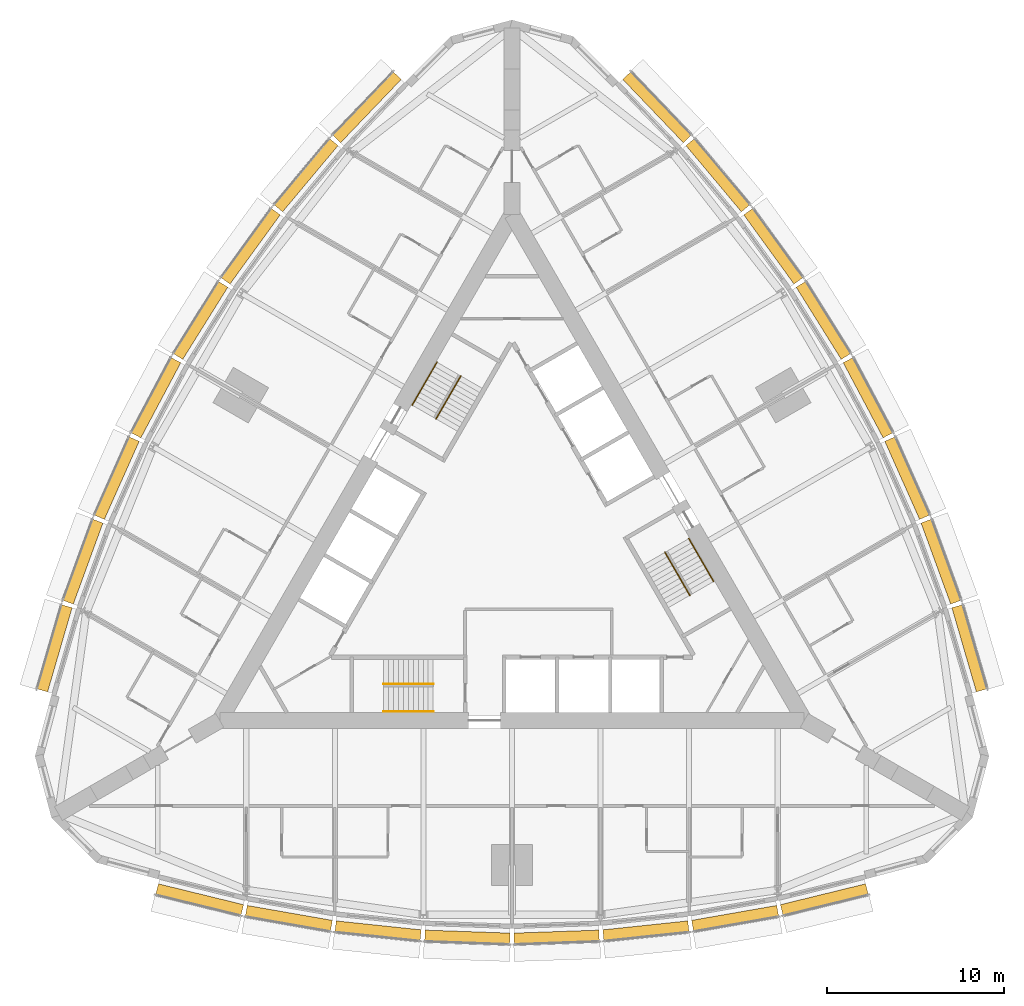
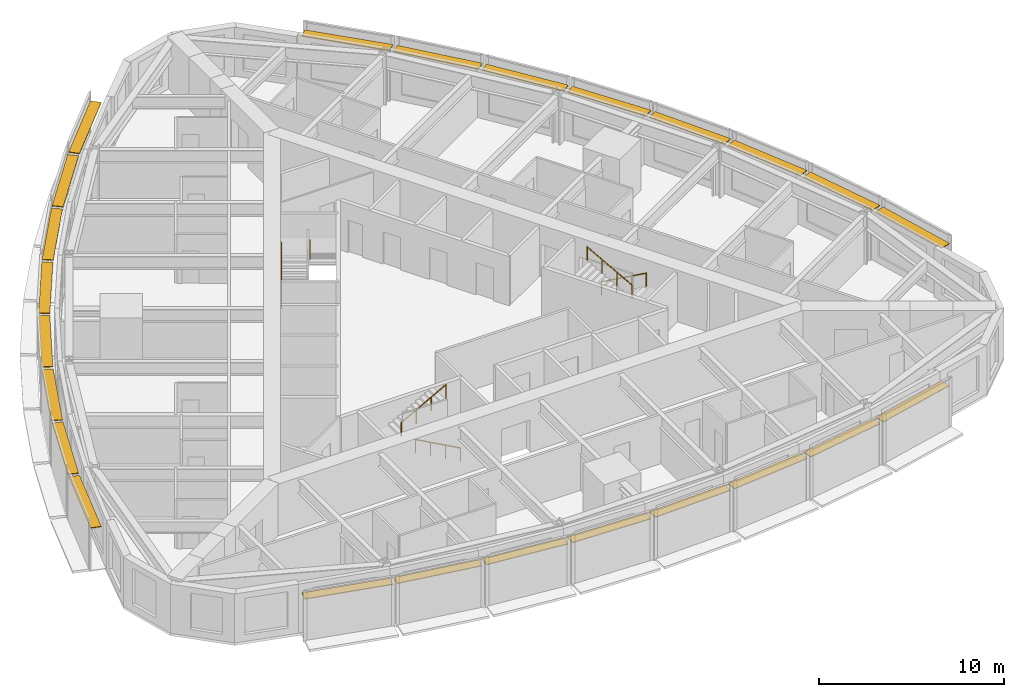
# One storey, part 14 of 14: 24 shading devices, 6 railings.
"""IFC4 building model written with IfcOpenShell, lengths in metres."""

from ifc_helpers import new_model, si_unit, direction, frame, origin, origin_2d, place, context, subcontext, project, spatial, rectangle, circle, extrude, material, type_object, element, save


model = new_model("IFC4")

# Units and contexts
model_context = context("Model", 3, precision=1e-05, world=origin(), true_north=direction((0.0, 1.0)))
body_context = subcontext(model_context, "Body", "Model", "MODEL_VIEW")
ifc_project = project(units=[si_unit("LENGTHUNIT", "METRE"), si_unit("AREAUNIT", "SQUARE_METRE"), si_unit("VOLUMEUNIT", "CUBIC_METRE"), si_unit("PLANEANGLEUNIT", "RADIAN"), si_unit("MASSUNIT", "GRAM", prefix="KILO")], contexts=[model_context])

# Site, building, storey
site_placement = place(None, origin())
site = spatial("IfcSite", under=ifc_project, at=site_placement, CompositionType="ELEMENT")
building_placement = place(site_placement, origin())
building = spatial("IfcBuilding", under=site, at=building_placement, Name="Trikona Tower", CompositionType="ELEMENT")
storey_placement = place(building_placement, frame((0.0, 0.0, 158.89990234375)))
storey = spatial("IfcBuildingStorey", under=building, at=storey_placement, Name="L42", CompositionType="ELEMENT", Elevation=158.89990234375)

# Shading devices
ifc_material_1 = material(Name="Aluminium louvre blade, pale anodised", Category="aluminium")
shading_device_type = type_object("IfcShadingDeviceType", Name="Cavity louvre 600", PredefinedType="USERDEFINED", material=ifc_material_1)
shading_device_1_placement = place(storey_placement, frame((-17.63330078125, -19.631591796875, 2.77490234375), z_axis=(0.0, 0.0, 1.0), x_axis=(0.971274411564, -0.237962218516, 0.0)))
element("IfcShadingDevice", 1, at=shading_device_1_placement, inside=storey, type_object=shading_device_type, Name="Cavity louvre L42-00", ObjectType="LOUVRE", PredefinedType="USERDEFINED", context=body_context, shape_type="SweptSolid", body=[
    extrude(rectangle(XDim=4.947998046875, YDim=0.60009765625, at=origin_2d()), origin(), (0.0, 0.0, 1.0), 0.050048828125),
])
shading_device_2_placement = place(storey_placement, frame((-12.596435546875, -20.689208984375, 2.77490234375), z_axis=(0.0, 0.0, 1.0), x_axis=(0.985030604067, -0.172379549401, 0.0)))
element("IfcShadingDevice", 2, at=shading_device_2_placement, inside=storey, type_object=shading_device_type, Name="Cavity louvre L42-01", ObjectType="LOUVRE", PredefinedType="USERDEFINED", context=body_context, shape_type="SweptSolid", body=[
    extrude(rectangle(XDim=4.8759765625, YDim=0.60009765625, at=origin_2d()), origin(), (0.0, 0.0, 1.0), 0.050048828125),
])
shading_device_3_placement = place(storey_placement, frame((-7.55859375, -21.39453125, 2.77490234375), z_axis=(0.0, 0.0, 1.0), x_axis=(0.994532653854, -0.104426052392, 0.0)))
element("IfcShadingDevice", 3, at=shading_device_3_placement, inside=storey, type_object=shading_device_type, Name="Cavity louvre L42-02", ObjectType="LOUVRE", PredefinedType="USERDEFINED", context=body_context, shape_type="SweptSolid", body=[
    extrude(rectangle(XDim=4.827392578125, YDim=0.60009765625, at=origin_2d()), origin(), (0.0, 0.0, 1.0), 0.050048828125),
])
for number, where, z_axis, x_axis, name in (
    (4, (-2.51953125, -21.747314453125, 2.77490234375), (0.0, 0.0, 1.0), (0.999388082937, -0.034977988567, 0.0), "Cavity louvre L42-03"),
    (5, (2.51953125, -21.747314453125, 2.77490234375), (0.0, 0.0, 1.0), (0.999388082937, 0.034977988567, 0.0), "Cavity louvre L42-04"),
):
    element("IfcShadingDevice", number, at=place(storey_placement, frame(where, z_axis=z_axis, x_axis=x_axis)), inside=storey, type_object=shading_device_type, Name=name, ObjectType="LOUVRE", PredefinedType="USERDEFINED", context=body_context, shape_type="SweptSolid", body=[
        extrude(rectangle(XDim=4.802978515625, YDim=0.60009765625, at=origin_2d()), origin(), (0.0, 0.0, 1.0), 0.050048828125),
    ])
shading_device_4_placement = place(storey_placement, frame((7.55859375, -21.39453125, 2.77490234375), z_axis=(0.0, 0.0, 1.0), x_axis=(0.994532653854, 0.104426052392, 0.0)))
element("IfcShadingDevice", 6, at=shading_device_4_placement, inside=storey, type_object=shading_device_type, Name="Cavity louvre L42-05", ObjectType="LOUVRE", PredefinedType="USERDEFINED", context=body_context, shape_type="SweptSolid", body=[
    extrude(rectangle(XDim=4.827392578125, YDim=0.60009765625, at=origin_2d()), origin(), (0.0, 0.0, 1.0), 0.050048828125),
])
shading_device_5_placement = place(storey_placement, frame((12.596435546875, -20.689208984375, 2.77490234375), z_axis=(0.0, 0.0, 1.0), x_axis=(0.985030604067, 0.172379549401, 0.0)))
element("IfcShadingDevice", 7, at=shading_device_5_placement, inside=storey, type_object=shading_device_type, Name="Cavity louvre L42-06", ObjectType="LOUVRE", PredefinedType="USERDEFINED", context=body_context, shape_type="SweptSolid", body=[
    extrude(rectangle(XDim=4.8759765625, YDim=0.60009765625, at=origin_2d()), origin(), (0.0, 0.0, 1.0), 0.050048828125),
])
shading_device_6_placement = place(storey_placement, frame((17.63330078125, -19.631591796875, 2.77490234375), z_axis=(0.0, 0.0, 1.0), x_axis=(0.971274411564, 0.237962218516, 0.0)))
element("IfcShadingDevice", 8, at=shading_device_6_placement, inside=storey, type_object=shading_device_type, Name="Cavity louvre L42-07", ObjectType="LOUVRE", PredefinedType="USERDEFINED", context=body_context, shape_type="SweptSolid", body=[
    extrude(rectangle(XDim=4.947998046875, YDim=0.60009765625, at=origin_2d()), origin(), (0.0, 0.0, 1.0), 0.050048828125),
])
shading_device_7_placement = place(storey_placement, frame((25.818115234375, -5.455078125, 2.77490234375), z_axis=(0.0, 0.0, 1.0), x_axis=(-0.279554203664, 0.960129911634, 0.0)))
element("IfcShadingDevice", 9, at=shading_device_7_placement, inside=storey, type_object=shading_device_type, Name="Cavity louvre L42-12", ObjectType="LOUVRE", PredefinedType="USERDEFINED", context=body_context, shape_type="SweptSolid", body=[
    extrude(rectangle(XDim=4.94775390625, YDim=0.60009765625, at=origin_2d()), origin(), (0.0, 0.0, 1.0), 0.050048828125),
])
shading_device_8_placement = place(storey_placement, frame((24.2158203125, -0.564208984375, 2.77490234375), z_axis=(0.0, 0.0, 1.0), x_axis=(-0.343220397324, 0.939254895575, 0.0)))
element("IfcShadingDevice", 10, at=shading_device_8_placement, inside=storey, type_object=shading_device_type, Name="Cavity louvre L42-13", ObjectType="LOUVRE", PredefinedType="USERDEFINED", context=body_context, shape_type="SweptSolid", body=[
    extrude(rectangle(XDim=4.8759765625, YDim=0.60009765625, at=origin_2d()), origin(), (0.0, 0.0, 1.0), 0.050048828125),
])
shading_device_9_placement = place(storey_placement, frame((22.3076171875, 4.151611328125, 2.77490234375), z_axis=(0.0, 0.0, 1.0), x_axis=(-0.406843467615, 0.913497888809, 0.0)))
element("IfcShadingDevice", 11, at=shading_device_9_placement, inside=storey, type_object=shading_device_type, Name="Cavity louvre L42-14", ObjectType="LOUVRE", PredefinedType="USERDEFINED", context=body_context, shape_type="SweptSolid", body=[
    extrude(rectangle(XDim=4.827392578125, YDim=0.60009765625, at=origin_2d()), origin(), (0.0, 0.0, 1.0), 0.050048828125),
])
for number, where, z_axis, x_axis, name in (
    (12, (20.093505859375, 8.691650390625, 2.77490234375), (0.0, 0.0, 1.0), (-0.469397591494, 0.882986920118, 0.0), "Cavity louvre L42-15"),
    (13, (17.573974609375, 13.0556640625, 2.77490234375), (0.0, 0.0, 1.0), (-0.529994748414, 0.848000923734, 0.0), "Cavity louvre L42-16"),
):
    element("IfcShadingDevice", number, at=place(storey_placement, frame(where, z_axis=z_axis, x_axis=x_axis)), inside=storey, type_object=shading_device_type, Name=name, ObjectType="LOUVRE", PredefinedType="USERDEFINED", context=body_context, shape_type="SweptSolid", body=[
        extrude(rectangle(XDim=4.802978515625, YDim=0.60009765625, at=origin_2d()), origin(), (0.0, 0.0, 1.0), 0.050048828125),
    ])
shading_device_10_placement = place(storey_placement, frame((14.7490234375, 17.2431640625, 2.77490234375), z_axis=(0.0, 0.0, 1.0), x_axis=(-0.587686407834, 0.809088799853, 0.0)))
element("IfcShadingDevice", 14, at=shading_device_10_placement, inside=storey, type_object=shading_device_type, Name="Cavity louvre L42-17", ObjectType="LOUVRE", PredefinedType="USERDEFINED", context=body_context, shape_type="SweptSolid", body=[
    extrude(rectangle(XDim=4.827392578125, YDim=0.60009765625, at=origin_2d()), origin(), (0.0, 0.0, 1.0), 0.050048828125),
])
shading_device_11_placement = place(storey_placement, frame((11.619140625, 21.253662109375, 2.77490234375), z_axis=(0.0, 0.0, 1.0), x_axis=(-0.641807063101, 0.766866151133, 0.0)))
element("IfcShadingDevice", 15, at=shading_device_11_placement, inside=storey, type_object=shading_device_type, Name="Cavity louvre L42-18", ObjectType="LOUVRE", PredefinedType="USERDEFINED", context=body_context, shape_type="SweptSolid", body=[
    extrude(rectangle(XDim=4.8759765625, YDim=0.60009765625, at=origin_2d()), origin(), (0.0, 0.0, 1.0), 0.050048828125),
])
for number, where, z_axis, x_axis, name in (
    (16, (8.184814453125, 25.086669921875, 2.77490234375), (0.0, 0.0, 1.0), (-0.691723573819, 0.722162376078, 0.0), "Cavity louvre L42-19"),
    (17, (-8.184814453125, 25.086669921875, 2.77490234375), (0.0, 0.0, 1.0), (-0.691723573819, -0.722162376078, 0.0), "Cavity louvre L42-24"),
):
    element("IfcShadingDevice", number, at=place(storey_placement, frame(where, z_axis=z_axis, x_axis=x_axis)), inside=storey, type_object=shading_device_type, Name=name, ObjectType="LOUVRE", PredefinedType="USERDEFINED", context=body_context, shape_type="SweptSolid", body=[
        extrude(rectangle(XDim=4.947998046875, YDim=0.60009765625, at=origin_2d()), origin(), (0.0, 0.0, 1.0), 0.050048828125),
    ])
shading_device_12_placement = place(storey_placement, frame((-11.619140625, 21.253662109375, 2.77490234375), z_axis=(0.0, 0.0, 1.0), x_axis=(-0.641807063101, -0.766866151133, 0.0)))
element("IfcShadingDevice", 18, at=shading_device_12_placement, inside=storey, type_object=shading_device_type, Name="Cavity louvre L42-25", ObjectType="LOUVRE", PredefinedType="USERDEFINED", context=body_context, shape_type="SweptSolid", body=[
    extrude(rectangle(XDim=4.8759765625, YDim=0.60009765625, at=origin_2d()), origin(), (0.0, 0.0, 1.0), 0.050048828125),
])
shading_device_13_placement = place(storey_placement, frame((-14.7490234375, 17.2431640625, 2.77490234375), z_axis=(0.0, 0.0, 1.0), x_axis=(-0.587686407834, -0.809088799853, 0.0)))
element("IfcShadingDevice", 19, at=shading_device_13_placement, inside=storey, type_object=shading_device_type, Name="Cavity louvre L42-26", ObjectType="LOUVRE", PredefinedType="USERDEFINED", context=body_context, shape_type="SweptSolid", body=[
    extrude(rectangle(XDim=4.827392578125, YDim=0.60009765625, at=origin_2d()), origin(), (0.0, 0.0, 1.0), 0.050048828125),
])
for number, where, z_axis, x_axis, name in (
    (20, (-17.573974609375, 13.0556640625, 2.77490234375), (0.0, 0.0, 1.0), (-0.529994748414, -0.848000923734, 0.0), "Cavity louvre L42-27"),
    (21, (-20.093505859375, 8.691650390625, 2.77490234375), (0.0, 0.0, 1.0), (-0.469397591494, -0.882986920118, 0.0), "Cavity louvre L42-28"),
):
    element("IfcShadingDevice", number, at=place(storey_placement, frame(where, z_axis=z_axis, x_axis=x_axis)), inside=storey, type_object=shading_device_type, Name=name, ObjectType="LOUVRE", PredefinedType="USERDEFINED", context=body_context, shape_type="SweptSolid", body=[
        extrude(rectangle(XDim=4.802978515625, YDim=0.60009765625, at=origin_2d()), origin(), (0.0, 0.0, 1.0), 0.050048828125),
    ])
shading_device_14_placement = place(storey_placement, frame((-22.3076171875, 4.151611328125, 2.77490234375), z_axis=(0.0, 0.0, 1.0), x_axis=(-0.406843467615, -0.913497888809, 0.0)))
element("IfcShadingDevice", 22, at=shading_device_14_placement, inside=storey, type_object=shading_device_type, Name="Cavity louvre L42-29", ObjectType="LOUVRE", PredefinedType="USERDEFINED", context=body_context, shape_type="SweptSolid", body=[
    extrude(rectangle(XDim=4.827392578125, YDim=0.60009765625, at=origin_2d()), origin(), (0.0, 0.0, 1.0), 0.050048828125),
])
shading_device_15_placement = place(storey_placement, frame((-24.2158203125, -0.564208984375, 2.77490234375), z_axis=(0.0, 0.0, 1.0), x_axis=(-0.343220397324, -0.939254895575, 0.0)))
element("IfcShadingDevice", 23, at=shading_device_15_placement, inside=storey, type_object=shading_device_type, Name="Cavity louvre L42-30", ObjectType="LOUVRE", PredefinedType="USERDEFINED", context=body_context, shape_type="SweptSolid", body=[
    extrude(rectangle(XDim=4.8759765625, YDim=0.60009765625, at=origin_2d()), origin(), (0.0, 0.0, 1.0), 0.050048828125),
])
shading_device_16_placement = place(storey_placement, frame((-25.818115234375, -5.455078125, 2.77490234375), z_axis=(0.0, 0.0, 1.0), x_axis=(-0.279554203664, -0.960129911634, 0.0)))
element("IfcShadingDevice", 24, at=shading_device_16_placement, inside=storey, type_object=shading_device_type, Name="Cavity louvre L42-31", ObjectType="LOUVRE", PredefinedType="USERDEFINED", context=body_context, shape_type="SweptSolid", body=[
    extrude(rectangle(XDim=4.94775390625, YDim=0.60009765625, at=origin_2d()), origin(), (0.0, 0.0, 1.0), 0.050048828125),
])

# Railings
ifc_material_2 = material(Name="Stainless steel handrail", Category="steel")
railing_type = type_object("IfcRailingType", Name="Stair handrail", PredefinedType="HANDRAIL", material=ifc_material_2)
railing_1_placement = place(storey_placement, frame((-4.449951171875, -9.016357421875, 0.154541015625)))
element("IfcRailing", 25, at=railing_1_placement, inside=storey, type_object=railing_type, Name="Stair handrail A L42 1", PredefinedType="HANDRAIL", context=body_context, shape_type="SweptSolid", body=[
    extrude(circle(Radius=0.02392578125, at=origin_2d()), frame((0.0, 0.0, 0.8759765625), z_axis=(-0.875471895205, 0.0, 0.483269035534), x_axis=(0.0, -1.0, 0.0)), (0.0, 0.0, 1.0), 3.1982421875),
    extrude(circle(Radius=0.02099609375, at=origin_2d()), origin(), (0.0, 0.0, 1.0), 0.851806640625),
    extrude(circle(Radius=0.02099609375, at=origin_2d()), frame((-0.933349609375, 0.0, 0.51513671875)), (0.0, 0.0, 1.0), 0.851806640625),
    extrude(circle(Radius=0.02099609375, at=origin_2d()), frame((-1.86669921875, 0.0, 1.030517578125)), (0.0, 0.0, 1.0), 0.851806640625),
    extrude(circle(Radius=0.02099609375, at=origin_2d()), frame((-2.800048828125, 0.0, 1.545654296875)), (0.0, 0.0, 1.0), 0.851806640625),
])
railing_2_placement = place(storey_placement, frame((-7.25, -7.46630859375, 1.8544921875)))
element("IfcRailing", 26, at=railing_2_placement, inside=storey, type_object=railing_type, Name="Stair handrail A L42 2", PredefinedType="HANDRAIL", context=body_context, shape_type="SweptSolid", body=[
    extrude(circle(Radius=0.02392578125, at=origin_2d()), frame((0.0, 0.0, 0.8759765625), z_axis=(0.875471895205, 0.0, 0.483269035534), x_axis=(0.0, 1.0, 0.0)), (0.0, 0.0, 1.0), 3.1982421875),
    extrude(circle(Radius=0.02099609375, at=origin_2d()), origin(), (0.0, 0.0, 1.0), 0.851806640625),
    extrude(circle(Radius=0.02099609375, at=origin_2d()), frame((0.933349609375, 0.0, 0.51513671875)), (0.0, 0.0, 1.0), 0.851806640625),
    extrude(circle(Radius=0.02099609375, at=origin_2d()), frame((1.86669921875, 0.0, 1.030517578125)), (0.0, 0.0, 1.0), 0.851806640625),
    extrude(circle(Radius=0.02099609375, at=origin_2d()), frame((2.800048828125, 0.0, 1.545654296875)), (0.0, 0.0, 1.0), 0.851806640625),
])
railing_3_placement = place(storey_placement, frame((9.9833984375, 0.740966796875, 0.154541015625)))
element("IfcRailing", 27, at=railing_3_placement, inside=storey, type_object=railing_type, Name="Stair handrail B L42 1", PredefinedType="HANDRAIL", context=body_context, shape_type="SweptSolid", body=[
    extrude(circle(Radius=0.02392578125, at=origin_2d()), frame((0.0, 0.0, 0.8759765625), z_axis=(0.437691042731, -0.758211567396, 0.483261596012), x_axis=(0.866056369097, 0.49994636267, 0.0)), (0.0, 0.0, 1.0), 3.198486328125),
    extrude(circle(Radius=0.02099609375, at=origin_2d()), origin(), (0.0, 0.0, 1.0), 0.851806640625),
    extrude(circle(Radius=0.02099609375, at=origin_2d()), frame((0.466552734375, -0.808349609375, 0.51513671875)), (0.0, 0.0, 1.0), 0.851806640625),
    extrude(circle(Radius=0.02099609375, at=origin_2d()), frame((0.933349609375, -1.61669921875, 1.030517578125)), (0.0, 0.0, 1.0), 0.851806640625),
    extrude(circle(Radius=0.02099609375, at=origin_2d()), frame((1.39990234375, -2.425048828125, 1.545654296875)), (0.0, 0.0, 1.0), 0.851806640625),
])
railing_4_placement = place(storey_placement, frame((10.041015625, -2.458984375, 1.8544921875)))
element("IfcRailing", 28, at=railing_4_placement, inside=storey, type_object=railing_type, Name="Stair handrail B L42 2", PredefinedType="HANDRAIL", context=body_context, shape_type="SweptSolid", body=[
    extrude(circle(Radius=0.02392578125, at=origin_2d()), frame((0.0, 0.0, 0.8759765625), z_axis=(-0.437691042731, 0.758211567396, 0.483261596012), x_axis=(-0.866056369097, -0.49994636267, 0.0)), (0.0, 0.0, 1.0), 3.198486328125),
    extrude(circle(Radius=0.02099609375, at=origin_2d()), origin(), (0.0, 0.0, 1.0), 0.851806640625),
    extrude(circle(Radius=0.02099609375, at=origin_2d()), frame((-0.466552734375, 0.808349609375, 0.51513671875)), (0.0, 0.0, 1.0), 0.851806640625),
    extrude(circle(Radius=0.02099609375, at=origin_2d()), frame((-0.933349609375, 1.61669921875, 1.030517578125)), (0.0, 0.0, 1.0), 0.851806640625),
    extrude(circle(Radius=0.02099609375, at=origin_2d()), frame((-1.39990234375, 2.425048828125, 1.545654296875)), (0.0, 0.0, 1.0), 0.851806640625),
])
railing_5_placement = place(storey_placement, frame((-5.63330078125, 8.275390625, 0.154541015625)))
element("IfcRailing", 29, at=railing_5_placement, inside=storey, type_object=railing_type, Name="Stair handrail C L42 1", PredefinedType="HANDRAIL", context=body_context, shape_type="SweptSolid", body=[
    extrude(circle(Radius=0.02392578125, at=origin_2d()), frame((0.0, 0.0, 0.8759765625), z_axis=(0.437716375571, 0.758179114435, 0.4832895664), x_axis=(-0.866034573852, 0.49998411664, 0.0)), (0.0, 0.0, 1.0), 3.1982421875),
    extrude(circle(Radius=0.02099609375, at=origin_2d()), origin(), (0.0, 0.0, 1.0), 0.851806640625),
    extrude(circle(Radius=0.02099609375, at=origin_2d()), frame((0.466552734375, 0.808349609375, 0.51513671875)), (0.0, 0.0, 1.0), 0.851806640625),
    extrude(circle(Radius=0.02099609375, at=origin_2d()), frame((0.933349609375, 1.616455078125, 1.030517578125)), (0.0, 0.0, 1.0), 0.851806640625),
    extrude(circle(Radius=0.02099609375, at=origin_2d()), frame((1.39990234375, 2.4248046875, 1.545654296875)), (0.0, 0.0, 1.0), 0.851806640625),
])
railing_6_placement = place(storey_placement, frame((-2.89111328125, 9.92529296875, 1.8544921875)))
element("IfcRailing", 30, at=railing_6_placement, inside=storey, type_object=railing_type, Name="Stair handrail C L42 2", PredefinedType="HANDRAIL", context=body_context, shape_type="SweptSolid", body=[
    extrude(circle(Radius=0.02392578125, at=origin_2d()), frame((0.0, 0.0, 0.8759765625), z_axis=(-0.437691042731, -0.758211567396, 0.483261596012), x_axis=(0.866056369097, -0.49994636267, 0.0)), (0.0, 0.0, 1.0), 3.198486328125),
    extrude(circle(Radius=0.02099609375, at=origin_2d()), origin(), (0.0, 0.0, 1.0), 0.851806640625),
    extrude(circle(Radius=0.02099609375, at=origin_2d()), frame((-0.466552734375, -0.808349609375, 0.51513671875)), (0.0, 0.0, 1.0), 0.851806640625),
    extrude(circle(Radius=0.02099609375, at=origin_2d()), frame((-0.933349609375, -1.61669921875, 1.030517578125)), (0.0, 0.0, 1.0), 0.851806640625),
    extrude(circle(Radius=0.02099609375, at=origin_2d()), frame((-1.39990234375, -2.425048828125, 1.545654296875)), (0.0, 0.0, 1.0), 0.851806640625),
])

save(model, "model.ifc")
